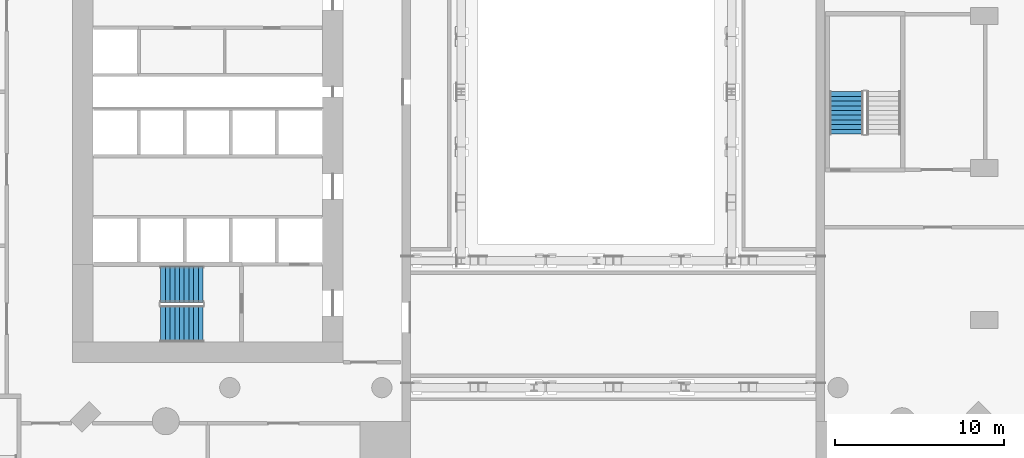
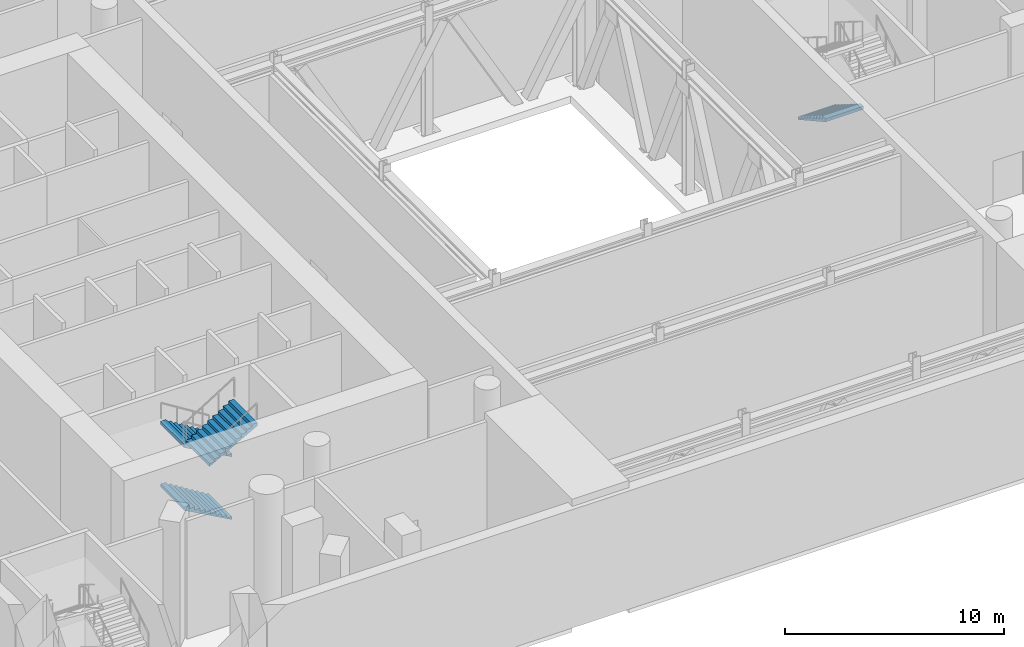
# One storey, part 12 of 21: 4 stair flights, 2 elements without a shape of their own.
"""IFC4 building model written with IfcOpenShell, lengths in metres."""

import ifcopenshell
import ifcopenshell.guid

model = None  # the IFC model being written
_history = None  # IfcOwnerHistory: only IFC2X3 demands one
_inside = {}  # id of a spatial element -> (the spatial element, [elements in it])
_under = {}  # id of a project, library or spatial element -> (it, [spatial elements below it])
_declared = {}  # id of a project -> (the project, [libraries it declares])
_typed = {}  # id of a type object -> (the type object, [elements of that type])
_made_of = {}  # id of a material, layer set ... -> (it, [elements and type objects made of it])


def new_model(schema):
    """Start an empty IFC model of exactly this schema.

    Asked for "IFC4X3", IfcOpenShell would pick the latest addendum, in which some entities
    have other attributes; the version numbers below select the first issue.
    IFC2X3 requires an IfcOwnerHistory on every rooted entity: one is made here for all.
    """
    global model, _history
    if schema == "IFC4X3":
        model = ifcopenshell.file(schema_version=(4, 3, 0, 0))
    else:
        model = ifcopenshell.file(schema=schema)
    _inside.clear()
    _under.clear()
    _declared.clear()
    _typed.clear()
    _made_of.clear()
    _history = None
    if model.schema == "IFC2X3":
        org = make("IfcOrganization", Name="unknown")
        user = make(
            "IfcPersonAndOrganization",
            ThePerson=make("IfcPerson", FamilyName="unknown"),
            TheOrganization=org,
        )
        app = make(
            "IfcApplication",
            ApplicationDeveloper=org,
            Version="unknown",
            ApplicationFullName="unknown",
            ApplicationIdentifier="unknown",
        )
        _history = make(
            "IfcOwnerHistory",
            OwningUser=user,
            OwningApplication=app,
            ChangeAction="ADDED",
            CreationDate=0,
        )
    return model


def make(cls, **values):
    """One entity of the class cls with the attributes given. An attribute that is None is left unset."""
    return model.create_entity(
        cls, **{name: value for name, value in values.items() if value is not None}
    )


def rooted(cls, **values):
    """An entity with a GlobalId (a new one), such as an element, a storey or a relation."""
    return make(cls, GlobalId=ifcopenshell.guid.new(), OwnerHistory=_history, **values)


def si_unit(unit_type, name, prefix=None):
    """IfcSIUnit, for example si_unit("LENGTHUNIT", "METRE", prefix="MILLI")."""
    return make("IfcSIUnit", UnitType=unit_type, Prefix=prefix, Name=name)


def assignment(units):
    """IfcUnitAssignment: the units of a project."""
    return None if units is None else make("IfcUnitAssignment", Units=units)


def point(xyz):
    """IfcCartesianPoint."""
    return None if xyz is None else make("IfcCartesianPoint", Coordinates=xyz)


def direction(xyz):
    """IfcDirection."""
    return None if xyz is None else make("IfcDirection", DirectionRatios=xyz)


def frame(location, z_axis=None, x_axis=None):
    """IfcAxis2Placement3D, a coordinate frame: its origin and axes. An axis left out is left unset."""
    return make(
        "IfcAxis2Placement3D",
        Location=point(location),
        Axis=direction(z_axis),
        RefDirection=direction(x_axis),
    )


def origin():
    """The frame at (0, 0, 0) with its axes left unset."""
    return frame((0.0, 0.0, 0.0))


def place(relative_to, where):
    """IfcLocalPlacement: puts the frame where relative to a parent placement (None: the world)."""
    return make(
        "IfcLocalPlacement", PlacementRelTo=relative_to, RelativePlacement=where
    )


def context(
    kind, dimensions, precision=None, world=None, true_north=None, identifier=None
):
    """IfcGeometricRepresentationContext, for example the 3D "Model" context."""
    return make(
        "IfcGeometricRepresentationContext",
        ContextIdentifier=identifier,
        ContextType=kind,
        CoordinateSpaceDimension=dimensions,
        Precision=precision,
        WorldCoordinateSystem=world,
        TrueNorth=true_north,
    )


def subcontext(parent, identifier, kind, view, scale=None):
    """IfcGeometricRepresentationSubContext, for example "Body" below "Model"."""
    return make(
        "IfcGeometricRepresentationSubContext",
        ContextIdentifier=identifier,
        ContextType=kind,
        ParentContext=parent,
        TargetScale=scale,
        TargetView=view,
    )


def project(units=None, contexts=None):
    """IfcProject with its units and contexts."""
    return rooted(
        "IfcProject",
        Name="project",
        RepresentationContexts=contexts,
        UnitsInContext=assignment(units),
    )


def spatial(cls, under=None, at=None, **own):
    """A site, building, storey or space (cls), placed at a placement, below another one or the project."""
    s = rooted(cls, ObjectPlacement=at, **own)
    if under is not None:
        _under.setdefault(under.id(), (under, []))[1].append(s)
    return s


def point_list(points):
    """IfcCartesianPointList2D or 3D."""
    cls = (
        "IfcCartesianPointList2D" if len(points[0]) == 2 else "IfcCartesianPointList3D"
    )
    return make(cls, CoordList=points)


def triangles(points, corners, closed=None, point_numbers=None):
    """IfcTriangulatedFaceSet: each triangle names its three corners, points numbered from 1."""
    return make(
        "IfcTriangulatedFaceSet",
        Coordinates=point_list(points),
        Closed=closed,
        CoordIndex=corners,
        PnIndex=point_numbers,
    )


def shape(context_of_items, identifier, shape_type, items):
    """IfcShapeRepresentation: the items that make up one representation, for example the "Body"."""
    return make(
        "IfcShapeRepresentation",
        ContextOfItems=context_of_items,
        RepresentationIdentifier=identifier,
        RepresentationType=shape_type,
        Items=items,
    )


def material(Name=None, Category=None):
    """IfcMaterial."""
    return make("IfcMaterial", Name=Name, Category=Category)


def made_of(thing, what):
    """Note that an element or type object is made of a material, layer set ...; save() writes the relation."""
    if what is not None:
        _made_of.setdefault(what.id(), (what, []))[1].append(thing)
    return thing


def type_object(cls, material=None, **own):
    """A type object (cls), such as IfcWallType, which elements share."""
    return made_of(rooted(cls, **own), material)


def element(
    cls,
    number,
    at=None,
    inside=None,
    cuts=None,
    type_object=None,
    material=None,
    context=None,
    identifier="Body",
    shape_type=None,
    held_by="IfcProductDefinitionShape",
    body=None,
    shapes=None,
    **own,
):
    """One element of the class cls, such as IfcWall. Its Tag is "e" and its number.

    at: its placement. inside: the storey or other place that contains it. cuts: it is an
    opening in that element (IfcRelVoidsElement). A single representation is given by context,
    identifier, shape_type and body (its items); several are given by shapes. held_by: the class
    of the entity that holds the representations. save() writes the other relations.
    """
    e = rooted(cls, Tag="e%d" % number, ObjectPlacement=at, **own)
    if body is not None:
        shapes = [shape(context, identifier, shape_type, body)]
    if shapes is not None:
        e.Representation = make(held_by, Representations=shapes)
    if inside is not None:
        _inside.setdefault(inside.id(), (inside, []))[1].append(e)
    if cuts is not None:
        rooted(
            "IfcRelVoidsElement", RelatingBuildingElement=cuts, RelatedOpeningElement=e
        )
    if type_object is not None:
        _typed.setdefault(type_object.id(), (type_object, []))[1].append(e)
    return made_of(e, material)


def aggregate(whole, parts):
    """IfcRelAggregates: a whole, such as a stair, and the parts it consists of."""
    return rooted("IfcRelAggregates", RelatingObject=whole, RelatedObjects=parts)


def save(model, path):
    """Write the relations noted so far, then the file.

    IfcRelAggregates (storeys below a building ...), IfcRelContainedInSpatialStructure (elements
    in a storey), IfcRelDefinesByType, IfcRelAssociatesMaterial and IfcRelDeclares: one each for
    every whole, place, type object, material and project.
    """
    for whole, parts in _under.values():
        aggregate(whole, parts)
    for where, things in _inside.values():
        rooted(
            "IfcRelContainedInSpatialStructure",
            RelatedElements=things,
            RelatingStructure=where,
        )
    for kind, things in _typed.values():
        rooted("IfcRelDefinesByType", RelatedObjects=things, RelatingType=kind)
    for what, things in _made_of.values():
        rooted("IfcRelAssociatesMaterial", RelatedObjects=things, RelatingMaterial=what)
    for by, libraries in _declared.values():
        rooted("IfcRelDeclares", RelatingContext=by, RelatedDefinitions=libraries)
    model.write(path)


model = new_model("IFC4")

# Units and contexts
model_context = context("Model", 3, precision=1e-05, world=origin(), true_north=direction((0.0, 1.0)))
body_context = subcontext(model_context, "Body", "Model", "MODEL_VIEW")
ifc_project = project(units=[si_unit("LENGTHUNIT", "METRE"), si_unit("AREAUNIT", "SQUARE_METRE"), si_unit("VOLUMEUNIT", "CUBIC_METRE"), si_unit("PLANEANGLEUNIT", "RADIAN"), si_unit("MASSUNIT", "GRAM", prefix="KILO")], contexts=[model_context])

# Site, building, storey
site_placement = place(None, origin())
site = spatial("IfcSite", under=ifc_project, at=site_placement, CompositionType="ELEMENT")
building_placement = place(site_placement, origin())
building = spatial("IfcBuilding", under=site, at=building_placement, Name="Cypress Arch Tower", CompositionType="ELEMENT")
storey_placement = place(building_placement, frame((0.0, 0.0, 29.0)))
storey = spatial("IfcBuildingStorey", under=building, at=storey_placement, Name="L03", CompositionType="ELEMENT", Elevation=29.0)

# Stair, stair flight
ifc_material_1 = material(Name="Concrete C40/50", Category="concrete")
stair_type_1 = type_object("IfcStairType", Name="Exit stair ES1750-200", PredefinedType="HALF_TURN_STAIR", material=ifc_material_1)
stair_1_placement = place(storey_placement, origin())
stair_1 = element("IfcStair", 1, at=stair_1_placement, inside=storey, type_object=stair_type_1, Name="L03 Exit stair C", PredefinedType="HALF_TURN_STAIR")
ifc_material_2 = material(Name="Concrete C40/50", Category="concrete")
stair_flight_type_1 = type_object("IfcStairFlightType", Name="Exit stair flight ES1750-200", PredefinedType="STRAIGHT", material=ifc_material_2)
stair_flight_1_placement = place(storey_placement, frame((15.800048828125, 0.02001953125, 1.75), z_axis=(0.0, 0.0, 1.0), x_axis=(0.0, -1.0, 0.0)))
stair_flight_1 = element("IfcStairFlight", 2, at=stair_flight_1_placement, type_object=stair_flight_type_1, Name="C flight 2", NumberOfRisers=10, NumberOfTreads=9, PredefinedType="STRAIGHT", RiserHeight=0.175, TreadLength=0.28, context=body_context, shape_type="Tessellation", body=[
    triangles([(0.0, -1.0, 0.0), (0.000244140625, -1.0, 0.034912109375), (0.00048828125, -1.0, 0.070068359375), (0.00048828125, -1.0, 0.10498046875), (0.000244140625, -1.0, 0.14013671875), (0.0, -1.0, 0.175048828125), (0.280029296875, -1.0, 0.175048828125), (0.280029296875, -1.0, 0.35009765625), (0.56005859375, -1.0, 0.35009765625), (0.56005859375, -1.0, 0.52490234375), (0.840087890625, -1.0, 0.52490234375), (0.840087890625, -1.0, 0.699951171875), (1.1201171875, -1.0, 0.699951171875), (1.1201171875, -1.0, 0.875), (1.39990234375, -1.0, 0.875), (1.39990234375, -1.0, 1.050048828125), (1.679931640625, -1.0, 1.050048828125), (1.679931640625, -1.0, 1.22509765625), (1.9599609375, -1.0, 1.22509765625), (1.9599609375, -1.0, 1.39990234375), (2.239990234375, -1.0, 1.39990234375), (2.239990234375, -1.0, 1.574951171875), (2.52001953125, -1.0, 1.574951171875), (2.519775390625, -1.0, 1.53955078125), (2.51953125, -1.0, 1.504150390625), (2.51953125, -1.0, 1.468994140625), (2.519775390625, -1.0, 1.43359375), (2.52001953125, -1.0, 1.398193359375), (2.52001953125, 1.0, 1.398193359375), (2.519775390625, 1.0, 1.43359375), (2.51953125, 1.0, 1.468994140625), (2.51953125, 1.0, 1.504150390625), (2.519775390625, 1.0, 1.53955078125), (2.52001953125, 1.0, 1.574951171875), (2.239990234375, 1.0, 1.574951171875), (2.239990234375, 1.0, 1.39990234375), (1.9599609375, 1.0, 1.39990234375), (1.9599609375, 1.0, 1.22509765625), (1.679931640625, 1.0, 1.22509765625), (1.679931640625, 1.0, 1.050048828125), (1.39990234375, 1.0, 1.050048828125), (1.39990234375, 1.0, 0.875), (1.1201171875, 1.0, 0.875), (1.1201171875, 1.0, 0.699951171875), (0.840087890625, 1.0, 0.699951171875), (0.840087890625, 1.0, 0.52490234375), (0.56005859375, 1.0, 0.52490234375), (0.56005859375, 1.0, 0.35009765625), (0.280029296875, 1.0, 0.35009765625), (0.280029296875, 1.0, 0.175048828125), (0.0, 1.0, 0.175048828125), (0.000244140625, 1.0, 0.14013671875), (0.00048828125, 1.0, 0.10498046875), (0.00048828125, 1.0, 0.070068359375), (0.000244140625, 1.0, 0.034912109375), (0.0, 1.0, 0.0), (2.519775390625, 0.0, 1.43359375), (2.52001953125, 0.0, 1.398193359375), (2.51953125, 0.0, 1.468994140625), (2.51953125, 0.0, 1.504150390625), (2.519775390625, 0.0, 1.53955078125), (2.52001953125, 0.0, 1.574951171875), (2.239990234375, 0.0, 1.574951171875), (2.239990234375, 0.0, 1.39990234375), (1.9599609375, 0.0, 1.39990234375), (1.9599609375, 0.0, 1.22509765625), (1.679931640625, 0.0, 1.22509765625), (1.679931640625, 0.0, 1.050048828125), (1.39990234375, 0.0, 1.050048828125), (1.39990234375, 0.0, 0.875), (1.1201171875, 0.0, 0.875), (1.1201171875, 0.0, 0.699951171875), (0.840087890625, 0.0, 0.699951171875), (0.840087890625, 0.0, 0.52490234375), (0.56005859375, 0.0, 0.52490234375), (0.56005859375, 0.0, 0.35009765625), (0.280029296875, 0.0, 0.35009765625), (0.280029296875, 0.0, 0.175048828125), (0.0, 0.0, 0.175048828125), (0.000244140625, 0.0, 0.14013671875), (0.00048828125, 0.0, 0.10498046875), (0.00048828125, 0.0, 0.070068359375), (0.000244140625, 0.0, 0.034912109375), (0.0, 0.0, 0.0)], [[28, 27, 22], [27, 26, 22], [26, 25, 22], [25, 24, 22], [24, 23, 22], [15, 14, 13], [19, 18, 17], [17, 16, 15], [13, 12, 11], [9, 8, 7], [6, 5, 7], [5, 4, 7], [4, 3, 7], [3, 2, 7], [2, 1, 7], [21, 20, 19], [11, 10, 9], [28, 22, 21], [28, 21, 19], [28, 19, 17], [28, 17, 15], [28, 15, 13], [28, 13, 11], [1, 28, 11], [11, 9, 7], [11, 7, 1], [29, 35, 30], [30, 35, 31], [31, 35, 32], [32, 35, 33], [33, 35, 34], [42, 44, 43], [38, 40, 39], [40, 42, 41], [44, 46, 45], [48, 50, 49], [51, 50, 52], [52, 50, 53], [53, 50, 54], [54, 50, 55], [55, 50, 56], [36, 38, 37], [46, 48, 47], [29, 36, 35], [29, 38, 36], [29, 40, 38], [29, 42, 40], [29, 44, 42], [29, 46, 44], [56, 46, 29], [46, 50, 48], [46, 56, 50], [58, 57, 27], [58, 27, 28], [29, 30, 57], [29, 57, 58], [57, 59, 26], [57, 26, 27], [30, 31, 59], [30, 59, 57], [59, 60, 25], [59, 25, 26], [31, 32, 60], [31, 60, 59], [60, 61, 24], [60, 24, 25], [32, 33, 61], [32, 61, 60], [61, 62, 23], [61, 23, 24], [33, 34, 62], [33, 62, 61], [62, 63, 22], [62, 22, 23], [34, 35, 63], [34, 63, 62], [63, 64, 21], [63, 21, 22], [35, 36, 64], [35, 64, 63], [64, 65, 20], [64, 20, 21], [36, 37, 65], [36, 65, 64], [65, 66, 19], [65, 19, 20], [37, 38, 66], [37, 66, 65], [66, 67, 18], [66, 18, 19], [38, 39, 67], [38, 67, 66], [67, 68, 17], [67, 17, 18], [39, 40, 68], [39, 68, 67], [68, 69, 16], [68, 16, 17], [40, 41, 69], [40, 69, 68], [69, 70, 15], [69, 15, 16], [41, 42, 70], [41, 70, 69], [70, 71, 14], [70, 14, 15], [42, 43, 71], [42, 71, 70], [71, 72, 13], [71, 13, 14], [43, 44, 72], [43, 72, 71], [72, 73, 12], [72, 12, 13], [44, 45, 73], [44, 73, 72], [73, 74, 11], [73, 11, 12], [45, 46, 74], [45, 74, 73], [74, 75, 10], [74, 10, 11], [46, 47, 75], [46, 75, 74], [75, 76, 9], [75, 9, 10], [47, 48, 76], [47, 76, 75], [76, 77, 8], [76, 8, 9], [48, 49, 77], [48, 77, 76], [77, 78, 7], [77, 7, 8], [49, 50, 78], [49, 78, 77], [78, 79, 6], [78, 6, 7], [50, 51, 79], [50, 79, 78], [79, 80, 5], [79, 5, 6], [51, 52, 80], [51, 80, 79], [80, 81, 4], [80, 4, 5], [52, 53, 81], [52, 81, 80], [81, 82, 3], [81, 3, 4], [53, 54, 82], [53, 82, 81], [82, 83, 2], [82, 2, 3], [54, 55, 83], [54, 83, 82], [83, 84, 1], [83, 1, 2], [55, 56, 84], [55, 84, 83], [84, 58, 28], [84, 28, 1], [56, 29, 58], [56, 58, 84]], closed=True),
])
aggregate(stair_1, [stair_flight_1])

# Stair, stair flights
ifc_material_3 = material(Name="Concrete C40/50", Category="concrete")
stair_type_2 = type_object("IfcStairType", Name="Exit stair ES1750-215", PredefinedType="HALF_TURN_STAIR", material=ifc_material_3)
stair_2_placement = place(storey_placement, origin())
stair_2 = element("IfcStair", 3, at=stair_2_placement, inside=storey, type_object=stair_type_2, Name="L03 Exit stair A", PredefinedType="HALF_TURN_STAIR")
ifc_material_4 = material(Name="Concrete C40/50", Category="concrete")
stair_flight_type_2 = type_object("IfcStairFlightType", Name="Exit stair flight ES1750-215", PredefinedType="STRAIGHT", material=ifc_material_4)
stair_flight_2_placement = place(storey_placement, frame((-22.27490234375, -11.39990234375, 0.0), z_axis=(0.0, 0.0, 1.0), x_axis=(-1.0, 0.0, 0.0)))
stair_flight_2 = element("IfcStairFlight", 4, at=stair_flight_2_placement, type_object=stair_flight_type_2, Name="A flight 1", NumberOfRisers=10, NumberOfTreads=9, PredefinedType="STRAIGHT", RiserHeight=0.175, TreadLength=0.28, context=body_context, shape_type="Tessellation", body=[
    triangles([(0.0, -1.074951171875, 0.0), (0.000244140625, -1.074951171875, 0.01953125), (0.000244140625, -1.074951171875, 0.038818359375), (0.00048828125, -1.074951171875, 0.058349609375), (0.00048828125, -1.074951171875, 0.077880859375), (0.00048828125, -1.074951171875, 0.09716796875), (0.00048828125, -1.074951171875, 0.11669921875), (0.000244140625, -1.074951171875, 0.13623046875), (0.000244140625, -1.074951171875, 0.155517578125), (0.0, -1.074951171875, 0.175048828125), (0.280029296875, -1.074951171875, 0.175048828125), (0.280029296875, -1.074951171875, 0.35009765625), (0.56005859375, -1.074951171875, 0.35009765625), (0.56005859375, -1.074951171875, 0.52490234375), (0.840087890625, -1.074951171875, 0.52490234375), (0.840087890625, -1.074951171875, 0.699951171875), (1.1201171875, -1.074951171875, 0.699951171875), (1.1201171875, -1.074951171875, 0.875), (1.39990234375, -1.074951171875, 0.875), (1.39990234375, -1.074951171875, 1.050048828125), (1.679931640625, -1.074951171875, 1.050048828125), (1.679931640625, -1.074951171875, 1.22509765625), (1.9599609375, -1.074951171875, 1.22509765625), (1.9599609375, -1.074951171875, 1.39990234375), (2.239990234375, -1.074951171875, 1.39990234375), (2.239990234375, -1.074951171875, 1.574951171875), (2.52001953125, -1.074951171875, 1.574951171875), (2.519775390625, -1.074951171875, 1.555419921875), (2.519775390625, -1.074951171875, 1.53564453125), (2.51953125, -1.074951171875, 1.51611328125), (2.51953125, -1.074951171875, 1.496337890625), (2.51953125, -1.074951171875, 1.476806640625), (2.51953125, -1.074951171875, 1.45703125), (2.519775390625, -1.074951171875, 1.4375), (2.519775390625, -1.074951171875, 1.417724609375), (2.52001953125, -1.074951171875, 1.398193359375), (2.52001953125, 1.074951171875, 1.398193359375), (2.519775390625, 1.074951171875, 1.417724609375), (2.519775390625, 1.074951171875, 1.4375), (2.51953125, 1.074951171875, 1.45703125), (2.51953125, 1.074951171875, 1.476806640625), (2.51953125, 1.074951171875, 1.496337890625), (2.51953125, 1.074951171875, 1.51611328125), (2.519775390625, 1.074951171875, 1.53564453125), (2.519775390625, 1.074951171875, 1.555419921875), (2.52001953125, 1.074951171875, 1.574951171875), (2.239990234375, 1.074951171875, 1.574951171875), (2.239990234375, 1.074951171875, 1.39990234375), (1.9599609375, 1.074951171875, 1.39990234375), (1.9599609375, 1.074951171875, 1.22509765625), (1.679931640625, 1.074951171875, 1.22509765625), (1.679931640625, 1.074951171875, 1.050048828125), (1.39990234375, 1.074951171875, 1.050048828125), (1.39990234375, 1.074951171875, 0.875), (1.1201171875, 1.074951171875, 0.875), (1.1201171875, 1.074951171875, 0.699951171875), (0.840087890625, 1.074951171875, 0.699951171875), (0.840087890625, 1.074951171875, 0.52490234375), (0.56005859375, 1.074951171875, 0.52490234375), (0.56005859375, 1.074951171875, 0.35009765625), (0.280029296875, 1.074951171875, 0.35009765625), (0.280029296875, 1.074951171875, 0.175048828125), (0.0, 1.074951171875, 0.175048828125), (0.000244140625, 1.074951171875, 0.155517578125), (0.000244140625, 1.074951171875, 0.13623046875), (0.00048828125, 1.074951171875, 0.11669921875), (0.00048828125, 1.074951171875, 0.09716796875), (0.00048828125, 1.074951171875, 0.077880859375), (0.00048828125, 1.074951171875, 0.058349609375), (0.000244140625, 1.074951171875, 0.038818359375), (0.000244140625, 1.074951171875, 0.01953125), (0.0, 1.074951171875, 0.0), (2.519775390625, 0.0, 1.417724609375), (2.52001953125, 0.0, 1.398193359375), (2.519775390625, 0.0, 1.4375), (2.51953125, 0.0, 1.45703125), (2.51953125, 0.0, 1.476806640625), (2.51953125, 0.0, 1.496337890625), (2.51953125, 0.0, 1.51611328125), (2.519775390625, 0.0, 1.53564453125), (2.519775390625, 0.0, 1.555419921875), (2.52001953125, 0.0, 1.574951171875), (2.239990234375, 0.0, 1.574951171875), (2.239990234375, 0.0, 1.39990234375), (1.9599609375, 0.0, 1.39990234375), (1.9599609375, 0.0, 1.22509765625), (1.679931640625, 0.0, 1.22509765625), (1.679931640625, 0.0, 1.050048828125), (1.39990234375, 0.0, 1.050048828125), (1.39990234375, 0.0, 0.875), (1.1201171875, 0.0, 0.875), (1.1201171875, 0.0, 0.699951171875), (0.840087890625, 0.0, 0.699951171875), (0.840087890625, 0.0, 0.52490234375), (0.56005859375, 0.0, 0.52490234375), (0.56005859375, 0.0, 0.35009765625), (0.280029296875, 0.0, 0.35009765625), (0.280029296875, 0.0, 0.175048828125), (0.0, 0.0, 0.175048828125), (0.000244140625, 0.0, 0.155517578125), (0.000244140625, 0.0, 0.13623046875), (0.00048828125, 0.0, 0.11669921875), (0.00048828125, 0.0, 0.09716796875), (0.00048828125, 0.0, 0.077880859375), (0.00048828125, 0.0, 0.058349609375), (0.000244140625, 0.0, 0.038818359375), (0.000244140625, 0.0, 0.01953125), (0.0, 0.0, 0.0)], [[36, 35, 26], [35, 34, 26], [34, 33, 26], [33, 32, 26], [32, 31, 26], [31, 30, 26], [30, 29, 26], [29, 28, 26], [28, 27, 26], [19, 18, 17], [23, 22, 21], [21, 20, 19], [17, 16, 15], [13, 12, 11], [10, 9, 11], [9, 8, 11], [8, 7, 11], [7, 6, 11], [6, 5, 11], [5, 4, 11], [4, 3, 11], [3, 2, 11], [2, 1, 11], [25, 24, 23], [15, 14, 13], [36, 26, 25], [36, 25, 23], [36, 23, 21], [36, 21, 19], [36, 19, 17], [36, 17, 15], [1, 36, 15], [15, 13, 11], [15, 11, 1], [37, 47, 38], [38, 47, 39], [39, 47, 40], [40, 47, 41], [41, 47, 42], [42, 47, 43], [43, 47, 44], [44, 47, 45], [45, 47, 46], [54, 56, 55], [50, 52, 51], [52, 54, 53], [56, 58, 57], [60, 62, 61], [63, 62, 64], [64, 62, 65], [65, 62, 66], [66, 62, 67], [67, 62, 68], [68, 62, 69], [69, 62, 70], [70, 62, 71], [71, 62, 72], [48, 50, 49], [58, 60, 59], [37, 48, 47], [37, 50, 48], [37, 52, 50], [37, 54, 52], [37, 56, 54], [37, 58, 56], [72, 58, 37], [58, 62, 60], [58, 72, 62], [74, 73, 35], [74, 35, 36], [37, 38, 73], [37, 73, 74], [73, 75, 34], [73, 34, 35], [38, 39, 75], [38, 75, 73], [75, 76, 33], [75, 33, 34], [39, 40, 76], [39, 76, 75], [76, 77, 32], [76, 32, 33], [40, 41, 77], [40, 77, 76], [77, 78, 31], [77, 31, 32], [41, 42, 78], [41, 78, 77], [78, 79, 30], [78, 30, 31], [42, 43, 79], [42, 79, 78], [79, 80, 29], [79, 29, 30], [43, 44, 80], [43, 80, 79], [80, 81, 28], [80, 28, 29], [44, 45, 81], [44, 81, 80], [81, 82, 27], [81, 27, 28], [45, 46, 82], [45, 82, 81], [82, 83, 26], [82, 26, 27], [46, 47, 83], [46, 83, 82], [83, 84, 25], [83, 25, 26], [47, 48, 84], [47, 84, 83], [84, 85, 24], [84, 24, 25], [48, 49, 85], [48, 85, 84], [85, 86, 23], [85, 23, 24], [49, 50, 86], [49, 86, 85], [86, 87, 22], [86, 22, 23], [50, 51, 87], [50, 87, 86], [87, 88, 21], [87, 21, 22], [51, 52, 88], [51, 88, 87], [88, 89, 20], [88, 20, 21], [52, 53, 89], [52, 89, 88], [89, 90, 19], [89, 19, 20], [53, 54, 90], [53, 90, 89], [90, 91, 18], [90, 18, 19], [54, 55, 91], [54, 91, 90], [91, 92, 17], [91, 17, 18], [55, 56, 92], [55, 92, 91], [92, 93, 16], [92, 16, 17], [56, 57, 93], [56, 93, 92], [93, 94, 15], [93, 15, 16], [57, 58, 94], [57, 94, 93], [94, 95, 14], [94, 14, 15], [58, 59, 95], [58, 95, 94], [95, 96, 13], [95, 13, 14], [59, 60, 96], [59, 96, 95], [96, 97, 12], [96, 12, 13], [60, 61, 97], [60, 97, 96], [97, 98, 11], [97, 11, 12], [61, 62, 98], [61, 98, 97], [98, 99, 10], [98, 10, 11], [62, 63, 99], [62, 99, 98], [99, 100, 9], [99, 9, 10], [63, 64, 100], [63, 100, 99], [100, 101, 8], [100, 8, 9], [64, 65, 101], [64, 101, 100], [101, 102, 7], [101, 7, 8], [65, 66, 102], [65, 102, 101], [102, 103, 6], [102, 6, 7], [66, 67, 103], [66, 103, 102], [103, 104, 5], [103, 5, 6], [67, 68, 104], [67, 104, 103], [104, 105, 4], [104, 4, 5], [68, 69, 105], [68, 105, 104], [105, 106, 3], [105, 3, 4], [69, 70, 106], [69, 106, 105], [106, 107, 2], [106, 2, 3], [70, 71, 107], [70, 107, 106], [107, 108, 1], [107, 1, 2], [71, 72, 108], [71, 108, 107], [108, 74, 36], [108, 36, 1], [72, 37, 74], [72, 74, 108]], closed=True),
])
stair_flight_3_placement = place(storey_placement, frame((-22.27490234375, -11.39990234375, 3.5), z_axis=(0.0, 0.0, 1.0), x_axis=(-1.0, 0.0, 0.0)))
stair_flight_3 = element("IfcStairFlight", 5, at=stair_flight_3_placement, type_object=stair_flight_type_2, Name="A flight 3", NumberOfRisers=10, NumberOfTreads=9, PredefinedType="STRAIGHT", RiserHeight=0.175, TreadLength=0.28, context=body_context, shape_type="Tessellation", body=[
    triangles([(0.0, -1.074951171875, 0.0), (0.000244140625, -1.074951171875, 0.01953125), (0.000244140625, -1.074951171875, 0.038818359375), (0.00048828125, -1.074951171875, 0.058349609375), (0.00048828125, -1.074951171875, 0.077880859375), (0.00048828125, -1.074951171875, 0.09716796875), (0.00048828125, -1.074951171875, 0.11669921875), (0.000244140625, -1.074951171875, 0.13623046875), (0.000244140625, -1.074951171875, 0.155517578125), (0.0, -1.074951171875, 0.175048828125), (0.280029296875, -1.074951171875, 0.175048828125), (0.280029296875, -1.074951171875, 0.35009765625), (0.56005859375, -1.074951171875, 0.35009765625), (0.56005859375, -1.074951171875, 0.52490234375), (0.840087890625, -1.074951171875, 0.52490234375), (0.840087890625, -1.074951171875, 0.699951171875), (1.1201171875, -1.074951171875, 0.699951171875), (1.1201171875, -1.074951171875, 0.875), (1.39990234375, -1.074951171875, 0.875), (1.39990234375, -1.074951171875, 1.050048828125), (1.679931640625, -1.074951171875, 1.050048828125), (1.679931640625, -1.074951171875, 1.22509765625), (1.9599609375, -1.074951171875, 1.22509765625), (1.9599609375, -1.074951171875, 1.39990234375), (2.239990234375, -1.074951171875, 1.39990234375), (2.239990234375, -1.074951171875, 1.574951171875), (2.52001953125, -1.074951171875, 1.574951171875), (2.519775390625, -1.074951171875, 1.555419921875), (2.519775390625, -1.074951171875, 1.53564453125), (2.51953125, -1.074951171875, 1.51611328125), (2.51953125, -1.074951171875, 1.496337890625), (2.51953125, -1.074951171875, 1.476806640625), (2.51953125, -1.074951171875, 1.45703125), (2.519775390625, -1.074951171875, 1.4375), (2.519775390625, -1.074951171875, 1.417724609375), (2.52001953125, -1.074951171875, 1.398193359375), (2.52001953125, 1.074951171875, 1.398193359375), (2.519775390625, 1.074951171875, 1.417724609375), (2.519775390625, 1.074951171875, 1.4375), (2.51953125, 1.074951171875, 1.45703125), (2.51953125, 1.074951171875, 1.476806640625), (2.51953125, 1.074951171875, 1.496337890625), (2.51953125, 1.074951171875, 1.51611328125), (2.519775390625, 1.074951171875, 1.53564453125), (2.519775390625, 1.074951171875, 1.555419921875), (2.52001953125, 1.074951171875, 1.574951171875), (2.239990234375, 1.074951171875, 1.574951171875), (2.239990234375, 1.074951171875, 1.39990234375), (1.9599609375, 1.074951171875, 1.39990234375), (1.9599609375, 1.074951171875, 1.22509765625), (1.679931640625, 1.074951171875, 1.22509765625), (1.679931640625, 1.074951171875, 1.050048828125), (1.39990234375, 1.074951171875, 1.050048828125), (1.39990234375, 1.074951171875, 0.875), (1.1201171875, 1.074951171875, 0.875), (1.1201171875, 1.074951171875, 0.699951171875), (0.840087890625, 1.074951171875, 0.699951171875), (0.840087890625, 1.074951171875, 0.52490234375), (0.56005859375, 1.074951171875, 0.52490234375), (0.56005859375, 1.074951171875, 0.35009765625), (0.280029296875, 1.074951171875, 0.35009765625), (0.280029296875, 1.074951171875, 0.175048828125), (0.0, 1.074951171875, 0.175048828125), (0.000244140625, 1.074951171875, 0.155517578125), (0.000244140625, 1.074951171875, 0.13623046875), (0.00048828125, 1.074951171875, 0.11669921875), (0.00048828125, 1.074951171875, 0.09716796875), (0.00048828125, 1.074951171875, 0.077880859375), (0.00048828125, 1.074951171875, 0.058349609375), (0.000244140625, 1.074951171875, 0.038818359375), (0.000244140625, 1.074951171875, 0.01953125), (0.0, 1.074951171875, 0.0), (2.519775390625, 0.0, 1.417724609375), (2.52001953125, 0.0, 1.398193359375), (2.519775390625, 0.0, 1.4375), (2.51953125, 0.0, 1.45703125), (2.51953125, 0.0, 1.476806640625), (2.51953125, 0.0, 1.496337890625), (2.51953125, 0.0, 1.51611328125), (2.519775390625, 0.0, 1.53564453125), (2.519775390625, 0.0, 1.555419921875), (2.52001953125, 0.0, 1.574951171875), (2.239990234375, 0.0, 1.574951171875), (2.239990234375, 0.0, 1.39990234375), (1.9599609375, 0.0, 1.39990234375), (1.9599609375, 0.0, 1.22509765625), (1.679931640625, 0.0, 1.22509765625), (1.679931640625, 0.0, 1.050048828125), (1.39990234375, 0.0, 1.050048828125), (1.39990234375, 0.0, 0.875), (1.1201171875, 0.0, 0.875), (1.1201171875, 0.0, 0.699951171875), (0.840087890625, 0.0, 0.699951171875), (0.840087890625, 0.0, 0.52490234375), (0.56005859375, 0.0, 0.52490234375), (0.56005859375, 0.0, 0.35009765625), (0.280029296875, 0.0, 0.35009765625), (0.280029296875, 0.0, 0.175048828125), (0.0, 0.0, 0.175048828125), (0.000244140625, 0.0, 0.155517578125), (0.000244140625, 0.0, 0.13623046875), (0.00048828125, 0.0, 0.11669921875), (0.00048828125, 0.0, 0.09716796875), (0.00048828125, 0.0, 0.077880859375), (0.00048828125, 0.0, 0.058349609375), (0.000244140625, 0.0, 0.038818359375), (0.000244140625, 0.0, 0.01953125), (0.0, 0.0, 0.0)], [[36, 35, 26], [35, 34, 26], [34, 33, 26], [33, 32, 26], [32, 31, 26], [31, 30, 26], [30, 29, 26], [29, 28, 26], [28, 27, 26], [19, 18, 17], [23, 22, 21], [21, 20, 19], [17, 16, 15], [13, 12, 11], [10, 9, 11], [9, 8, 11], [8, 7, 11], [7, 6, 11], [6, 5, 11], [5, 4, 11], [4, 3, 11], [3, 2, 11], [2, 1, 11], [25, 24, 23], [15, 14, 13], [36, 26, 25], [36, 25, 23], [36, 23, 21], [36, 21, 19], [36, 19, 17], [36, 17, 15], [1, 36, 15], [15, 13, 11], [15, 11, 1], [37, 47, 38], [38, 47, 39], [39, 47, 40], [40, 47, 41], [41, 47, 42], [42, 47, 43], [43, 47, 44], [44, 47, 45], [45, 47, 46], [54, 56, 55], [50, 52, 51], [52, 54, 53], [56, 58, 57], [60, 62, 61], [63, 62, 64], [64, 62, 65], [65, 62, 66], [66, 62, 67], [67, 62, 68], [68, 62, 69], [69, 62, 70], [70, 62, 71], [71, 62, 72], [48, 50, 49], [58, 60, 59], [37, 48, 47], [37, 50, 48], [37, 52, 50], [37, 54, 52], [37, 56, 54], [37, 58, 56], [72, 58, 37], [58, 62, 60], [58, 72, 62], [74, 73, 35], [74, 35, 36], [37, 38, 73], [37, 73, 74], [73, 75, 34], [73, 34, 35], [38, 39, 75], [38, 75, 73], [75, 76, 33], [75, 33, 34], [39, 40, 76], [39, 76, 75], [76, 77, 32], [76, 32, 33], [40, 41, 77], [40, 77, 76], [77, 78, 31], [77, 31, 32], [41, 42, 78], [41, 78, 77], [78, 79, 30], [78, 30, 31], [42, 43, 79], [42, 79, 78], [79, 80, 29], [79, 29, 30], [43, 44, 80], [43, 80, 79], [80, 81, 28], [80, 28, 29], [44, 45, 81], [44, 81, 80], [81, 82, 27], [81, 27, 28], [45, 46, 82], [45, 82, 81], [82, 83, 26], [82, 26, 27], [46, 47, 83], [46, 83, 82], [83, 84, 25], [83, 25, 26], [47, 48, 84], [47, 84, 83], [84, 85, 24], [84, 24, 25], [48, 49, 85], [48, 85, 84], [85, 86, 23], [85, 23, 24], [49, 50, 86], [49, 86, 85], [86, 87, 22], [86, 22, 23], [50, 51, 87], [50, 87, 86], [87, 88, 21], [87, 21, 22], [51, 52, 88], [51, 88, 87], [88, 89, 20], [88, 20, 21], [52, 53, 89], [52, 89, 88], [89, 90, 19], [89, 19, 20], [53, 54, 90], [53, 90, 89], [90, 91, 18], [90, 18, 19], [54, 55, 91], [54, 91, 90], [91, 92, 17], [91, 17, 18], [55, 56, 92], [55, 92, 91], [92, 93, 16], [92, 16, 17], [56, 57, 93], [56, 93, 92], [93, 94, 15], [93, 15, 16], [57, 58, 94], [57, 94, 93], [94, 95, 14], [94, 14, 15], [58, 59, 95], [58, 95, 94], [95, 96, 13], [95, 13, 14], [59, 60, 96], [59, 96, 95], [96, 97, 12], [96, 12, 13], [60, 61, 97], [60, 97, 96], [97, 98, 11], [97, 11, 12], [61, 62, 98], [61, 98, 97], [98, 99, 10], [98, 10, 11], [62, 63, 99], [62, 99, 98], [99, 100, 9], [99, 9, 10], [63, 64, 100], [63, 100, 99], [100, 101, 8], [100, 8, 9], [64, 65, 101], [64, 101, 100], [101, 102, 7], [101, 7, 8], [65, 66, 102], [65, 102, 101], [102, 103, 6], [102, 6, 7], [66, 67, 103], [66, 103, 102], [103, 104, 5], [103, 5, 6], [67, 68, 104], [67, 104, 103], [104, 105, 4], [104, 4, 5], [68, 69, 105], [68, 105, 104], [105, 106, 3], [105, 3, 4], [69, 70, 106], [69, 106, 105], [106, 107, 2], [106, 2, 3], [70, 71, 107], [70, 107, 106], [107, 108, 1], [107, 1, 2], [71, 72, 108], [71, 108, 107], [108, 74, 36], [108, 36, 1], [72, 37, 74], [72, 74, 108]], closed=True),
])
stair_flight_4_placement = place(storey_placement, frame((-24.794921875, -13.72509765625, 5.25), z_axis=(0.0, 0.0, 1.0), x_axis=(1.0, 0.0, 0.0)))
stair_flight_4 = element("IfcStairFlight", 6, at=stair_flight_4_placement, type_object=stair_flight_type_2, Name="A flight 4", NumberOfRisers=10, NumberOfTreads=9, PredefinedType="STRAIGHT", RiserHeight=0.175, TreadLength=0.28, context=body_context, shape_type="Tessellation", body=[
    triangles([(0.0, -1.074951171875, 0.0), (0.000244140625, -1.074951171875, 0.01953125), (0.000244140625, -1.074951171875, 0.038818359375), (0.00048828125, -1.074951171875, 0.058349609375), (0.00048828125, -1.074951171875, 0.077880859375), (0.00048828125, -1.074951171875, 0.09716796875), (0.00048828125, -1.074951171875, 0.11669921875), (0.000244140625, -1.074951171875, 0.13623046875), (0.000244140625, -1.074951171875, 0.155517578125), (0.0, -1.074951171875, 0.175048828125), (0.280029296875, -1.074951171875, 0.175048828125), (0.280029296875, -1.074951171875, 0.35009765625), (0.56005859375, -1.074951171875, 0.35009765625), (0.56005859375, -1.074951171875, 0.52490234375), (0.840087890625, -1.074951171875, 0.52490234375), (0.840087890625, -1.074951171875, 0.699951171875), (1.1201171875, -1.074951171875, 0.699951171875), (1.1201171875, -1.074951171875, 0.875), (1.39990234375, -1.074951171875, 0.875), (1.39990234375, -1.074951171875, 1.050048828125), (1.679931640625, -1.074951171875, 1.050048828125), (1.679931640625, -1.074951171875, 1.22509765625), (1.9599609375, -1.074951171875, 1.22509765625), (1.9599609375, -1.074951171875, 1.39990234375), (2.239990234375, -1.074951171875, 1.39990234375), (2.239990234375, -1.074951171875, 1.574951171875), (2.52001953125, -1.074951171875, 1.574951171875), (2.519775390625, -1.074951171875, 1.555419921875), (2.519775390625, -1.074951171875, 1.53564453125), (2.51953125, -1.074951171875, 1.51611328125), (2.51953125, -1.074951171875, 1.496337890625), (2.51953125, -1.074951171875, 1.476806640625), (2.51953125, -1.074951171875, 1.45703125), (2.519775390625, -1.074951171875, 1.4375), (2.519775390625, -1.074951171875, 1.417724609375), (2.52001953125, -1.074951171875, 1.398193359375), (2.52001953125, 1.074951171875, 1.398193359375), (2.519775390625, 1.074951171875, 1.417724609375), (2.519775390625, 1.074951171875, 1.4375), (2.51953125, 1.074951171875, 1.45703125), (2.51953125, 1.074951171875, 1.476806640625), (2.51953125, 1.074951171875, 1.496337890625), (2.51953125, 1.074951171875, 1.51611328125), (2.519775390625, 1.074951171875, 1.53564453125), (2.519775390625, 1.074951171875, 1.555419921875), (2.52001953125, 1.074951171875, 1.574951171875), (2.239990234375, 1.074951171875, 1.574951171875), (2.239990234375, 1.074951171875, 1.39990234375), (1.9599609375, 1.074951171875, 1.39990234375), (1.9599609375, 1.074951171875, 1.22509765625), (1.679931640625, 1.074951171875, 1.22509765625), (1.679931640625, 1.074951171875, 1.050048828125), (1.39990234375, 1.074951171875, 1.050048828125), (1.39990234375, 1.074951171875, 0.875), (1.1201171875, 1.074951171875, 0.875), (1.1201171875, 1.074951171875, 0.699951171875), (0.840087890625, 1.074951171875, 0.699951171875), (0.840087890625, 1.074951171875, 0.52490234375), (0.56005859375, 1.074951171875, 0.52490234375), (0.56005859375, 1.074951171875, 0.35009765625), (0.280029296875, 1.074951171875, 0.35009765625), (0.280029296875, 1.074951171875, 0.175048828125), (0.0, 1.074951171875, 0.175048828125), (0.000244140625, 1.074951171875, 0.155517578125), (0.000244140625, 1.074951171875, 0.13623046875), (0.00048828125, 1.074951171875, 0.11669921875), (0.00048828125, 1.074951171875, 0.09716796875), (0.00048828125, 1.074951171875, 0.077880859375), (0.00048828125, 1.074951171875, 0.058349609375), (0.000244140625, 1.074951171875, 0.038818359375), (0.000244140625, 1.074951171875, 0.01953125), (0.0, 1.074951171875, 0.0), (2.519775390625, 0.0, 1.417724609375), (2.52001953125, 0.0, 1.398193359375), (2.519775390625, 0.0, 1.4375), (2.51953125, 0.0, 1.45703125), (2.51953125, 0.0, 1.476806640625), (2.51953125, 0.0, 1.496337890625), (2.51953125, 0.0, 1.51611328125), (2.519775390625, 0.0, 1.53564453125), (2.519775390625, 0.0, 1.555419921875), (2.52001953125, 0.0, 1.574951171875), (2.239990234375, 0.0, 1.574951171875), (2.239990234375, 0.0, 1.39990234375), (1.9599609375, 0.0, 1.39990234375), (1.9599609375, 0.0, 1.22509765625), (1.679931640625, 0.0, 1.22509765625), (1.679931640625, 0.0, 1.050048828125), (1.39990234375, 0.0, 1.050048828125), (1.39990234375, 0.0, 0.875), (1.1201171875, 0.0, 0.875), (1.1201171875, 0.0, 0.699951171875), (0.840087890625, 0.0, 0.699951171875), (0.840087890625, 0.0, 0.52490234375), (0.56005859375, 0.0, 0.52490234375), (0.56005859375, 0.0, 0.35009765625), (0.280029296875, 0.0, 0.35009765625), (0.280029296875, 0.0, 0.175048828125), (0.0, 0.0, 0.175048828125), (0.000244140625, 0.0, 0.155517578125), (0.000244140625, 0.0, 0.13623046875), (0.00048828125, 0.0, 0.11669921875), (0.00048828125, 0.0, 0.09716796875), (0.00048828125, 0.0, 0.077880859375), (0.00048828125, 0.0, 0.058349609375), (0.000244140625, 0.0, 0.038818359375), (0.000244140625, 0.0, 0.01953125), (0.0, 0.0, 0.0)], [[36, 35, 26], [35, 34, 26], [34, 33, 26], [33, 32, 26], [32, 31, 26], [31, 30, 26], [30, 29, 26], [29, 28, 26], [28, 27, 26], [19, 18, 17], [23, 22, 21], [21, 20, 19], [17, 16, 15], [13, 12, 11], [10, 9, 11], [9, 8, 11], [8, 7, 11], [7, 6, 11], [6, 5, 11], [5, 4, 11], [4, 3, 11], [3, 2, 11], [2, 1, 11], [25, 24, 23], [15, 14, 13], [36, 26, 25], [36, 25, 23], [36, 23, 21], [36, 21, 19], [36, 19, 17], [36, 17, 15], [1, 36, 15], [15, 13, 11], [15, 11, 1], [37, 47, 38], [38, 47, 39], [39, 47, 40], [40, 47, 41], [41, 47, 42], [42, 47, 43], [43, 47, 44], [44, 47, 45], [45, 47, 46], [54, 56, 55], [50, 52, 51], [52, 54, 53], [56, 58, 57], [60, 62, 61], [63, 62, 64], [64, 62, 65], [65, 62, 66], [66, 62, 67], [67, 62, 68], [68, 62, 69], [69, 62, 70], [70, 62, 71], [71, 62, 72], [48, 50, 49], [58, 60, 59], [37, 48, 47], [37, 50, 48], [37, 52, 50], [37, 54, 52], [37, 56, 54], [37, 58, 56], [72, 58, 37], [58, 62, 60], [58, 72, 62], [74, 73, 35], [74, 35, 36], [37, 38, 73], [37, 73, 74], [73, 75, 34], [73, 34, 35], [38, 39, 75], [38, 75, 73], [75, 76, 33], [75, 33, 34], [39, 40, 76], [39, 76, 75], [76, 77, 32], [76, 32, 33], [40, 41, 77], [40, 77, 76], [77, 78, 31], [77, 31, 32], [41, 42, 78], [41, 78, 77], [78, 79, 30], [78, 30, 31], [42, 43, 79], [42, 79, 78], [79, 80, 29], [79, 29, 30], [43, 44, 80], [43, 80, 79], [80, 81, 28], [80, 28, 29], [44, 45, 81], [44, 81, 80], [81, 82, 27], [81, 27, 28], [45, 46, 82], [45, 82, 81], [82, 83, 26], [82, 26, 27], [46, 47, 83], [46, 83, 82], [83, 84, 25], [83, 25, 26], [47, 48, 84], [47, 84, 83], [84, 85, 24], [84, 24, 25], [48, 49, 85], [48, 85, 84], [85, 86, 23], [85, 23, 24], [49, 50, 86], [49, 86, 85], [86, 87, 22], [86, 22, 23], [50, 51, 87], [50, 87, 86], [87, 88, 21], [87, 21, 22], [51, 52, 88], [51, 88, 87], [88, 89, 20], [88, 20, 21], [52, 53, 89], [52, 89, 88], [89, 90, 19], [89, 19, 20], [53, 54, 90], [53, 90, 89], [90, 91, 18], [90, 18, 19], [54, 55, 91], [54, 91, 90], [91, 92, 17], [91, 17, 18], [55, 56, 92], [55, 92, 91], [92, 93, 16], [92, 16, 17], [56, 57, 93], [56, 93, 92], [93, 94, 15], [93, 15, 16], [57, 58, 94], [57, 94, 93], [94, 95, 14], [94, 14, 15], [58, 59, 95], [58, 95, 94], [95, 96, 13], [95, 13, 14], [59, 60, 96], [59, 96, 95], [96, 97, 12], [96, 12, 13], [60, 61, 97], [60, 97, 96], [97, 98, 11], [97, 11, 12], [61, 62, 98], [61, 98, 97], [98, 99, 10], [98, 10, 11], [62, 63, 99], [62, 99, 98], [99, 100, 9], [99, 9, 10], [63, 64, 100], [63, 100, 99], [100, 101, 8], [100, 8, 9], [64, 65, 101], [64, 101, 100], [101, 102, 7], [101, 7, 8], [65, 66, 102], [65, 102, 101], [102, 103, 6], [102, 6, 7], [66, 67, 103], [66, 103, 102], [103, 104, 5], [103, 5, 6], [67, 68, 104], [67, 104, 103], [104, 105, 4], [104, 4, 5], [68, 69, 105], [68, 105, 104], [105, 106, 3], [105, 3, 4], [69, 70, 106], [69, 106, 105], [106, 107, 2], [106, 2, 3], [70, 71, 107], [70, 107, 106], [107, 108, 1], [107, 1, 2], [71, 72, 108], [71, 108, 107], [108, 74, 36], [108, 36, 1], [72, 37, 74], [72, 74, 108]], closed=True),
])
aggregate(stair_2, [stair_flight_2, stair_flight_3, stair_flight_4])

save(model, "model.ifc")
